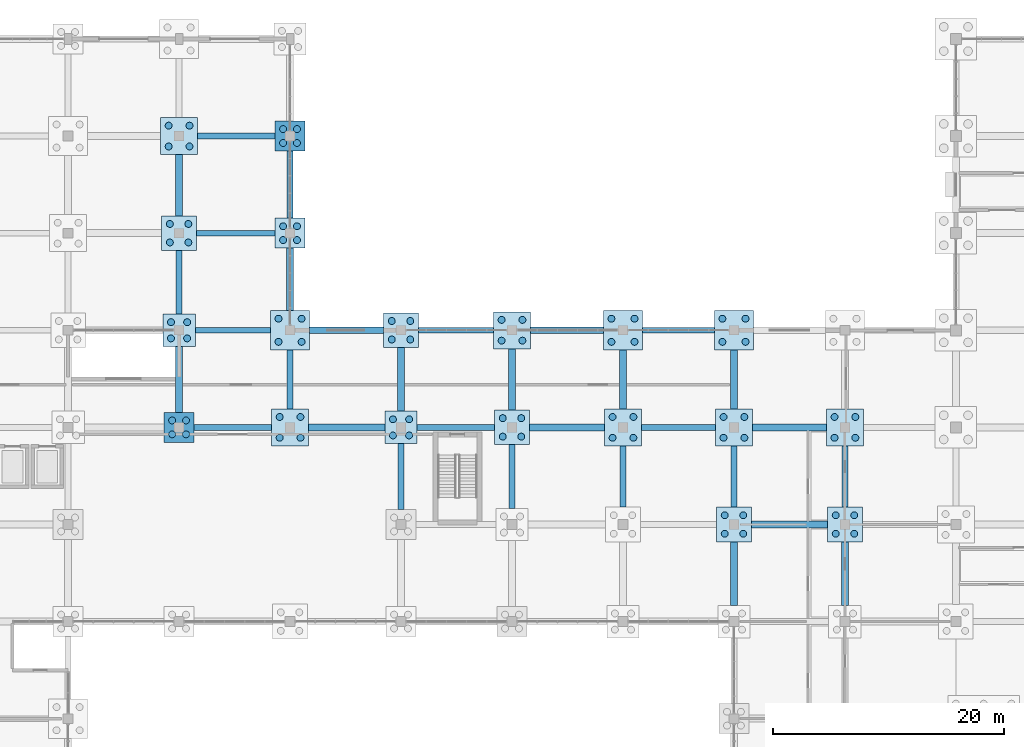
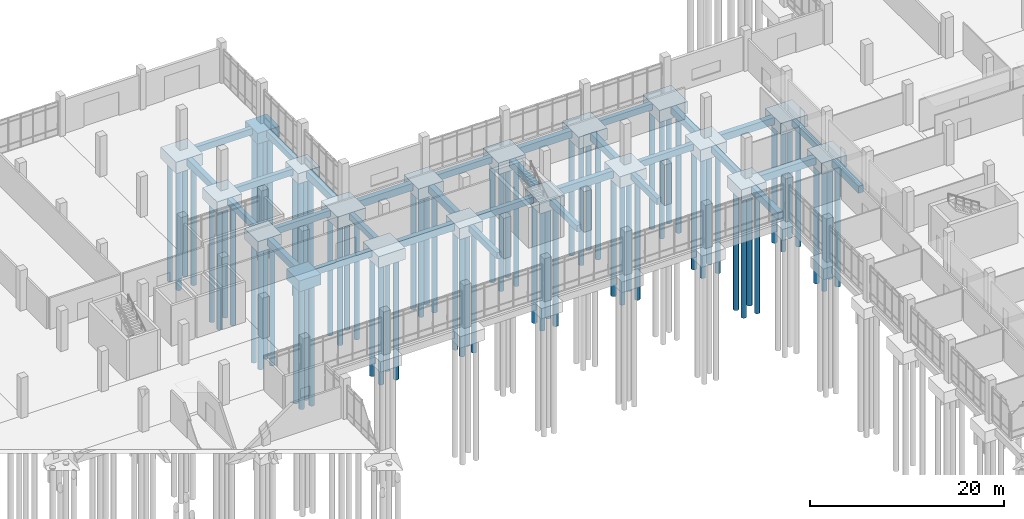
# One storey, part 10 of 136: 76 piles, 50 footings.
"""IFC4 building model written with IfcOpenShell, lengths in metres."""

from ifc_helpers import new_model, si_unit, direction, frame, origin, origin_2d, place, context, subcontext, project, spatial, rectangle, circle, extrude, material, material_profile, profile_set, type_object, element, save


model = new_model("IFC4")

# Units and contexts
model_context = context("Model", 3, precision=1e-05, world=origin(), true_north=direction((0.0, 1.0)))
body_context = subcontext(model_context, "Body", "Model", "MODEL_VIEW")
ifc_project = project(units=[si_unit("LENGTHUNIT", "METRE"), si_unit("AREAUNIT", "SQUARE_METRE"), si_unit("VOLUMEUNIT", "CUBIC_METRE"), si_unit("PLANEANGLEUNIT", "RADIAN"), si_unit("MASSUNIT", "GRAM", prefix="KILO")], contexts=[model_context])

# Site, building, storey
site_placement = place(None, origin())
site = spatial("IfcSite", under=ifc_project, at=site_placement, CompositionType="ELEMENT")
building_placement = place(site_placement, origin())
building = spatial("IfcBuilding", under=site, at=building_placement, Name="Oolite Switchyard Hospital", CompositionType="ELEMENT")
storey_placement = place(building_placement, origin())
storey = spatial("IfcBuildingStorey", under=building, at=storey_placement, Name="L00", CompositionType="ELEMENT", Elevation=0.0)

# Footings
ifc_material = material(Name="Concrete C40/50", Category="concrete")
footing_type_1 = type_object("IfcFootingType", Name="FTG-GB500X800", PredefinedType="FOOTING_BEAM", material=ifc_material)
for number, where, z_axis, x_axis, name in (
    (1, (71.85009765625, 100.800048828125, -1.14990234375), (0.0, 0.0, 1.0), (1.0, 0.0, 0.0), "L00 Grade Beam 182"),
    (2, (91.14990234375, 100.800048828125, -1.14990234375), (0.0, 0.0, 1.0), (1.0, 0.0, 0.0), "L00 Grade Beam 184"),
):
    element("IfcFooting", number, at=place(storey_placement, frame(where, z_axis=z_axis, x_axis=x_axis)), inside=storey, type_object=footing_type_1, Name=name, PredefinedType="FOOTING_BEAM", context=body_context, shape_type="SweptSolid", body=[
        extrude(rectangle(XDim=6.699951171875, YDim=0.5, at=origin_2d()), origin(), (0.0, 0.0, 1.0), 0.800048828125),
    ])
footing_1_placement = place(storey_placement, frame((110.39990234375, 100.800048828125, -1.14990234375), z_axis=(0.0, 0.0, 1.0), x_axis=(1.0, 0.0, 0.0)))
element("IfcFooting", 3, at=footing_1_placement, inside=storey, type_object=footing_type_1, Name="L00 Grade Beam 186", PredefinedType="FOOTING_BEAM", context=body_context, shape_type="SweptSolid", body=[
    extrude(rectangle(XDim=6.39990234375, YDim=0.5, at=origin_2d()), origin(), (0.0, 0.0, 1.0), 0.800048828125),
])
for number, where, z_axis, x_axis, name in (
    (4, (71.85009765625, 109.199951171875, -1.14990234375), (0.0, 0.0, 1.0), (1.0, 0.0, 0.0), "L00 Grade Beam 204"),
    (5, (91.14990234375, 109.199951171875, -1.14990234375), (0.0, 0.0, 1.0), (1.0, 0.0, 0.0), "L00 Grade Beam 206"),
):
    element("IfcFooting", number, at=place(storey_placement, frame(where, z_axis=z_axis, x_axis=x_axis)), inside=storey, type_object=footing_type_1, Name=name, PredefinedType="FOOTING_BEAM", context=body_context, shape_type="SweptSolid", body=[
        extrude(rectangle(XDim=6.5, YDim=0.5, at=origin_2d()), origin(), (0.0, 0.0, 1.0), 0.800048828125),
    ])
footing_2_placement = place(storey_placement, frame((110.39990234375, 109.199951171875, -1.14990234375), z_axis=(0.0, 0.0, 1.0), x_axis=(1.0, 0.0, 0.0)))
element("IfcFooting", 6, at=footing_2_placement, inside=storey, type_object=footing_type_1, Name="L00 Grade Beam 208", PredefinedType="FOOTING_BEAM", context=body_context, shape_type="SweptSolid", body=[
    extrude(rectangle(XDim=6.199951171875, YDim=0.5, at=origin_2d()), origin(), (0.0, 0.0, 1.0), 0.800048828125),
])
footing_3_placement = place(storey_placement, frame((72.10009765625, 117.60009765625, -1.14990234375), z_axis=(0.0, 0.0, 1.0), x_axis=(1.0, 0.0, 0.0)))
element("IfcFooting", 7, at=footing_3_placement, inside=storey, type_object=footing_type_1, Name="L00 Grade Beam 226", PredefinedType="FOOTING_BEAM", context=body_context, shape_type="SweptSolid", body=[
    extrude(rectangle(XDim=6.800048828125, YDim=0.5, at=origin_2d()), origin(), (0.0, 0.0, 1.0), 0.800048828125),
])
footing_4_placement = place(storey_placement, frame((72.14990234375, 126.0, -1.14990234375), z_axis=(0.0, 0.0, 1.0), x_axis=(1.0, 0.0, 0.0)))
element("IfcFooting", 8, at=footing_4_placement, inside=storey, type_object=footing_type_1, Name="L00 Grade Beam 242", PredefinedType="FOOTING_BEAM", context=body_context, shape_type="SweptSolid", body=[
    extrude(rectangle(XDim=6.699951171875, YDim=0.5, at=origin_2d()), origin(), (0.0, 0.0, 1.0), 0.800048828125),
])
footing_5_placement = place(storey_placement, frame((67.199951171875, 113.35009765625, -1.14990234375), z_axis=(0.0, 0.0, 1.0), x_axis=(0.0, 1.0, 0.0)))
element("IfcFooting", 9, at=footing_5_placement, inside=storey, type_object=footing_type_1, Name="L00 Grade Beam 381", PredefinedType="FOOTING_BEAM", context=body_context, shape_type="SweptSolid", body=[
    extrude(rectangle(XDim=5.5, YDim=0.5, at=origin_2d()), origin(), (0.0, 0.0, 1.0), 0.800048828125),
])
footing_6_placement = place(storey_placement, frame((76.800048828125, 104.949951171875, -1.14990234375), z_axis=(0.0, 0.0, 1.0), x_axis=(0.0, 1.0, 0.0)))
element("IfcFooting", 10, at=footing_6_placement, inside=storey, type_object=footing_type_1, Name="L00 Grade Beam 385", PredefinedType="FOOTING_BEAM", context=body_context, shape_type="SweptSolid", body=[
    extrude(rectangle(XDim=5.10009765625, YDim=0.5, at=origin_2d()), origin(), (0.0, 0.0, 1.0), 0.800048828125),
])
footing_7_placement = place(storey_placement, frame((76.800048828125, 121.800048828125, -1.14990234375), z_axis=(0.0, 0.0, 1.0), x_axis=(0.0, 1.0, 0.0)))
element("IfcFooting", 11, at=footing_7_placement, inside=storey, type_object=footing_type_1, Name="L00 Grade Beam 387", PredefinedType="FOOTING_BEAM", context=body_context, shape_type="SweptSolid", body=[
    extrude(rectangle(XDim=5.800048828125, YDim=0.5, at=origin_2d()), origin(), (0.0, 0.0, 1.0), 0.800048828125),
])
footing_8_placement = place(storey_placement, frame((86.39990234375, 96.550048828125, -1.14990234375), z_axis=(0.0, 0.0, 1.0), x_axis=(0.0, 1.0, 0.0)))
element("IfcFooting", 12, at=footing_8_placement, inside=storey, type_object=footing_type_1, Name="L00 Grade Beam 391", PredefinedType="FOOTING_BEAM", context=body_context, shape_type="SweptSolid", body=[
    extrude(rectangle(XDim=5.699951171875, YDim=0.5, at=origin_2d()), origin(), (0.0, 0.0, 1.0), 0.800048828125),
])
footing_9_placement = place(storey_placement, frame((96.0, 96.550048828125, -1.14990234375), z_axis=(0.0, 0.0, 1.0), x_axis=(0.0, 1.0, 0.0)))
element("IfcFooting", 13, at=footing_9_placement, inside=storey, type_object=footing_type_1, Name="L00 Grade Beam 395", PredefinedType="FOOTING_BEAM", context=body_context, shape_type="SweptSolid", body=[
    extrude(rectangle(XDim=5.5, YDim=0.5, at=origin_2d()), origin(), (0.0, 0.0, 1.0), 0.800048828125),
])
for number, where, z_axis, x_axis, name in (
    (14, (105.60009765625, 96.550048828125, -1.14990234375), (0.0, 0.0, 1.0), (0.0, 1.0, 0.0), "L00 Grade Beam 399"),
    (15, (115.199951171875, 96.550048828125, -1.14990234375), (0.0, 0.0, 1.0), (0.0, 1.0, 0.0), "L00 Grade Beam 409"),
    (16, (124.800048828125, 96.550048828125, -1.14990234375), (0.0, 0.0, 1.0), (0.0, 1.0, 0.0), "L00 Grade Beam 419"),
):
    element("IfcFooting", number, at=place(storey_placement, frame(where, z_axis=z_axis, x_axis=x_axis)), inside=storey, type_object=footing_type_1, Name=name, PredefinedType="FOOTING_BEAM", context=body_context, shape_type="SweptSolid", body=[
        extrude(rectangle(XDim=5.300048828125, YDim=0.5, at=origin_2d()), origin(), (0.0, 0.0, 1.0), 0.800048828125),
    ])
footing_type_2 = type_object("IfcFootingType", Name="FTG-GB600X900", PredefinedType="FOOTING_BEAM", material=ifc_material)
for number, where, z_axis, x_axis, name in (
    (17, (120.0, 92.39990234375, -1.25), (0.0, 0.0, 1.0), (1.0, 0.0, 0.0), "L00 Grade Beam 169"),
    (18, (81.699951171875, 100.800048828125, -1.25), (0.0, 0.0, 1.0), (1.0, 0.0, 0.0), "L00 Grade Beam 183"),
):
    element("IfcFooting", number, at=place(storey_placement, frame(where, z_axis=z_axis, x_axis=x_axis)), inside=storey, type_object=footing_type_2, Name=name, PredefinedType="FOOTING_BEAM", context=body_context, shape_type="SweptSolid", body=[
        extrude(rectangle(XDim=6.60009765625, YDim=0.60009765625, at=origin_2d()), origin(), (0.0, 0.0, 1.0), 0.89990234375),
    ])
footing_10_placement = place(storey_placement, frame((100.75, 100.800048828125, -1.25), z_axis=(0.0, 0.0, 1.0), x_axis=(1.0, 0.0, 0.0)))
element("IfcFooting", 19, at=footing_10_placement, inside=storey, type_object=footing_type_2, Name="L00 Grade Beam 185", PredefinedType="FOOTING_BEAM", context=body_context, shape_type="SweptSolid", body=[
    extrude(rectangle(XDim=6.5, YDim=0.60009765625, at=origin_2d()), origin(), (0.0, 0.0, 1.0), 0.89990234375),
])
for number, where, z_axis, x_axis, name in (
    (20, (120.0, 100.800048828125, -1.25), (0.0, 0.0, 1.0), (1.0, 0.0, 0.0), "L00 Grade Beam 187"),
    (21, (81.699951171875, 109.199951171875, -1.25), (0.0, 0.0, 1.0), (1.0, 0.0, 0.0), "L00 Grade Beam 205"),
):
    element("IfcFooting", number, at=place(storey_placement, frame(where, z_axis=z_axis, x_axis=x_axis)), inside=storey, type_object=footing_type_2, Name=name, PredefinedType="FOOTING_BEAM", context=body_context, shape_type="SweptSolid", body=[
        extrude(rectangle(XDim=6.39990234375, YDim=0.60009765625, at=origin_2d()), origin(), (0.0, 0.0, 1.0), 0.89990234375),
    ])
footing_11_placement = place(storey_placement, frame((100.75, 109.199951171875, -1.25), z_axis=(0.0, 0.0, 1.0), x_axis=(1.0, 0.0, 0.0)))
element("IfcFooting", 22, at=footing_11_placement, inside=storey, type_object=footing_type_2, Name="L00 Grade Beam 207", PredefinedType="FOOTING_BEAM", context=body_context, shape_type="SweptSolid", body=[
    extrude(rectangle(XDim=6.300048828125, YDim=0.60009765625, at=origin_2d()), origin(), (0.0, 0.0, 1.0), 0.89990234375),
])
footing_12_placement = place(storey_placement, frame((67.199951171875, 104.949951171875, -1.25), z_axis=(0.0, 0.0, 1.0), x_axis=(0.0, 1.0, 0.0)))
element("IfcFooting", 23, at=footing_12_placement, inside=storey, type_object=footing_type_2, Name="L00 Grade Beam 380", PredefinedType="FOOTING_BEAM", context=body_context, shape_type="SweptSolid", body=[
    extrude(rectangle(XDim=5.699951171875, YDim=0.60009765625, at=origin_2d()), origin(), (0.0, 0.0, 1.0), 0.89990234375),
])
footing_13_placement = place(storey_placement, frame((67.199951171875, 121.75, -1.25), z_axis=(0.0, 0.0, 1.0), x_axis=(0.0, 1.0, 0.0)))
element("IfcFooting", 24, at=footing_13_placement, inside=storey, type_object=footing_type_2, Name="L00 Grade Beam 382", PredefinedType="FOOTING_BEAM", context=body_context, shape_type="SweptSolid", body=[
    extrude(rectangle(XDim=5.300048828125, YDim=0.60009765625, at=origin_2d()), origin(), (0.0, 0.0, 1.0), 0.89990234375),
])
footing_14_placement = place(storey_placement, frame((76.800048828125, 113.60009765625, -1.25), z_axis=(0.0, 0.0, 1.0), x_axis=(0.0, 1.0, 0.0)))
element("IfcFooting", 25, at=footing_14_placement, inside=storey, type_object=footing_type_2, Name="L00 Grade Beam 386", PredefinedType="FOOTING_BEAM", context=body_context, shape_type="SweptSolid", body=[
    extrude(rectangle(XDim=5.39990234375, YDim=0.60009765625, at=origin_2d()), origin(), (0.0, 0.0, 1.0), 0.89990234375),
])
footing_15_placement = place(storey_placement, frame((86.39990234375, 104.949951171875, -1.25), z_axis=(0.0, 0.0, 1.0), x_axis=(0.0, 1.0, 0.0)))
element("IfcFooting", 26, at=footing_15_placement, inside=storey, type_object=footing_type_2, Name="L00 Grade Beam 392", PredefinedType="FOOTING_BEAM", context=body_context, shape_type="SweptSolid", body=[
    extrude(rectangle(XDim=5.5, YDim=0.60009765625, at=origin_2d()), origin(), (0.0, 0.0, 1.0), 0.89990234375),
])
footing_16_placement = place(storey_placement, frame((96.0, 104.949951171875, -1.25), z_axis=(0.0, 0.0, 1.0), x_axis=(0.0, 1.0, 0.0)))
element("IfcFooting", 27, at=footing_16_placement, inside=storey, type_object=footing_type_2, Name="L00 Grade Beam 396", PredefinedType="FOOTING_BEAM", context=body_context, shape_type="SweptSolid", body=[
    extrude(rectangle(XDim=5.300048828125, YDim=0.60009765625, at=origin_2d()), origin(), (0.0, 0.0, 1.0), 0.89990234375),
])
footing_17_placement = place(storey_placement, frame((105.60009765625, 104.949951171875, -1.25), z_axis=(0.0, 0.0, 1.0), x_axis=(0.0, 1.0, 0.0)))
element("IfcFooting", 28, at=footing_17_placement, inside=storey, type_object=footing_type_2, Name="L00 Grade Beam 400", PredefinedType="FOOTING_BEAM", context=body_context, shape_type="SweptSolid", body=[
    extrude(rectangle(XDim=5.10009765625, YDim=0.60009765625, at=origin_2d()), origin(), (0.0, 0.0, 1.0), 0.89990234375),
])
footing_18_placement = place(storey_placement, frame((115.199951171875, 88.14990234375, -1.25), z_axis=(0.0, 0.0, 1.0), x_axis=(0.0, 1.0, 0.0)))
element("IfcFooting", 29, at=footing_18_placement, inside=storey, type_object=footing_type_2, Name="L00 Grade Beam 408", PredefinedType="FOOTING_BEAM", context=body_context, shape_type="SweptSolid", body=[
    extrude(rectangle(XDim=5.5, YDim=0.60009765625, at=origin_2d()), origin(), (0.0, 0.0, 1.0), 0.89990234375),
])
footing_19_placement = place(storey_placement, frame((115.199951171875, 104.949951171875, -1.25), z_axis=(0.0, 0.0, 1.0), x_axis=(0.0, 1.0, 0.0)))
element("IfcFooting", 30, at=footing_19_placement, inside=storey, type_object=footing_type_2, Name="L00 Grade Beam 410", PredefinedType="FOOTING_BEAM", context=body_context, shape_type="SweptSolid", body=[
    extrude(rectangle(XDim=5.10009765625, YDim=0.60009765625, at=origin_2d()), origin(), (0.0, 0.0, 1.0), 0.89990234375),
])
footing_20_placement = place(storey_placement, frame((124.800048828125, 88.14990234375, -1.25), z_axis=(0.0, 0.0, 1.0), x_axis=(0.0, 1.0, 0.0)))
element("IfcFooting", 31, at=footing_20_placement, inside=storey, type_object=footing_type_2, Name="L00 Grade Beam 418", PredefinedType="FOOTING_BEAM", context=body_context, shape_type="SweptSolid", body=[
    extrude(rectangle(XDim=5.5, YDim=0.60009765625, at=origin_2d()), origin(), (0.0, 0.0, 1.0), 0.89990234375),
])
footing_type_3 = type_object("IfcFootingType", Name="FTG-PC24", PredefinedType="PILE_CAP", material=ifc_material)
footing_21_placement = place(storey_placement, frame((76.800048828125, 117.60009765625, -1.64990234375), z_axis=(0.0, 0.0, 1.0), x_axis=(1.0, 0.0, 0.0)))
element("IfcFooting", 32, at=footing_21_placement, inside=storey, type_object=footing_type_3, Name="L00 Multi-Pile Cap 139", PredefinedType="PILE_CAP", context=body_context, shape_type="SweptSolid", body=[
    extrude(rectangle(XDim=2.60009765625, YDim=2.60009765625, at=origin_2d()), origin(), (0.0, 0.0, 1.0), 1.300048828125),
])
footing_type_4 = type_object("IfcFootingType", Name="FTG-PC26", PredefinedType="PILE_CAP", material=ifc_material)
for number, where, z_axis, x_axis, name in (
    (33, (67.199951171875, 100.800048828125, -1.699951171875), (0.0, 0.0, 1.0), (1.0, 0.0, 0.0), "L00 Multi-Pile Cap 128"),
    (34, (76.800048828125, 126.0, -1.699951171875), (0.0, 0.0, 1.0), (1.0, 0.0, 0.0), "L00 Multi-Pile Cap 140"),
):
    element("IfcFooting", number, at=place(storey_placement, frame(where, z_axis=z_axis, x_axis=x_axis)), inside=storey, type_object=footing_type_4, Name=name, PredefinedType="PILE_CAP", context=body_context, shape_type="SweptSolid", body=[
        extrude(rectangle(XDim=2.60009765625, YDim=2.60009765625, at=origin_2d()), origin(), (0.0, 0.0, 1.0), 1.35009765625),
    ])
footing_type_5 = type_object("IfcFootingType", Name="FTG-PC28", PredefinedType="PILE_CAP", material=ifc_material)
for number, where, z_axis, x_axis, name in (
    (35, (67.199951171875, 109.199951171875, -1.75), (0.0, 0.0, 1.0), (1.0, 0.0, 0.0), "L00 Multi-Pile Cap 129"),
    (36, (86.39990234375, 100.800048828125, -1.75), (0.0, 0.0, 1.0), (1.0, 0.0, 0.0), "L00 Multi-Pile Cap 147"),
):
    element("IfcFooting", number, at=place(storey_placement, frame(where, z_axis=z_axis, x_axis=x_axis)), inside=storey, type_object=footing_type_5, Name=name, PredefinedType="PILE_CAP", context=body_context, shape_type="SweptSolid", body=[
        extrude(rectangle(XDim=2.800048828125, YDim=2.800048828125, at=origin_2d()), origin(), (0.0, 0.0, 1.0), 1.39990234375),
    ])
footing_type_6 = type_object("IfcFootingType", Name="FTG-PC30", PredefinedType="PILE_CAP", material=ifc_material)
for number, where, z_axis, x_axis, name in (
    (37, (67.199951171875, 117.60009765625, -1.77001953125), (0.0, 0.0, 1.0), (1.0, 0.0, 0.0), "L00 Multi-Pile Cap 130"),
    (38, (86.39990234375, 109.199951171875, -1.77001953125), (0.0, 0.0, 1.0), (1.0, 0.0, 0.0), "L00 Multi-Pile Cap 148"),
    (39, (96.0, 100.800048828125, -1.77001953125), (0.0, 0.0, 1.0), (1.0, 0.0, 0.0), "L00 Multi-Pile Cap 154"),
    (40, (115.199951171875, 92.39990234375, -1.77001953125), (0.0, 0.0, 1.0), (1.0, 0.0, 0.0), "L00 Multi-Pile Cap 172"),
    (41, (124.800048828125, 92.39990234375, -1.77001953125), (0.0, 0.0, 1.0), (1.0, 0.0, 0.0), "L00 Multi-Pile Cap 184"),
):
    element("IfcFooting", number, at=place(storey_placement, frame(where, z_axis=z_axis, x_axis=x_axis)), inside=storey, type_object=footing_type_6, Name=name, PredefinedType="PILE_CAP", context=body_context, shape_type="SweptSolid", body=[
        extrude(rectangle(XDim=3.0, YDim=3.0, at=origin_2d()), origin(), (0.0, 0.0, 1.0), 1.419921875),
    ])
footing_type_7 = type_object("IfcFootingType", Name="FTG-PC32", PredefinedType="PILE_CAP", material=ifc_material)
for number, where, z_axis, x_axis, name in (
    (42, (67.199951171875, 126.0, -1.7998046875), (0.0, 0.0, 1.0), (1.0, 0.0, 0.0), "L00 Multi-Pile Cap 131"),
    (43, (76.800048828125, 100.800048828125, -1.7998046875), (0.0, 0.0, 1.0), (1.0, 0.0, 0.0), "L00 Multi-Pile Cap 137"),
    (44, (96.0, 109.199951171875, -1.7998046875), (0.0, 0.0, 1.0), (1.0, 0.0, 0.0), "L00 Multi-Pile Cap 155"),
    (45, (105.60009765625, 100.800048828125, -1.7998046875), (0.0, 0.0, 1.0), (1.0, 0.0, 0.0), "L00 Multi-Pile Cap 161"),
    (46, (115.199951171875, 100.800048828125, -1.7998046875), (0.0, 0.0, 1.0), (1.0, 0.0, 0.0), "L00 Multi-Pile Cap 173"),
    (47, (124.800048828125, 100.800048828125, -1.7998046875), (0.0, 0.0, 1.0), (1.0, 0.0, 0.0), "L00 Multi-Pile Cap 185"),
):
    element("IfcFooting", number, at=place(storey_placement, frame(where, z_axis=z_axis, x_axis=x_axis)), inside=storey, type_object=footing_type_7, Name=name, PredefinedType="PILE_CAP", context=body_context, shape_type="SweptSolid", body=[
        extrude(rectangle(XDim=3.199951171875, YDim=3.199951171875, at=origin_2d()), origin(), (0.0, 0.0, 1.0), 1.449951171875),
    ])
footing_type_8 = type_object("IfcFootingType", Name="FTG-PC34", PredefinedType="PILE_CAP", material=ifc_material)
for number, where, z_axis, x_axis, name in (
    (48, (76.800048828125, 109.199951171875, -1.85009765625), (0.0, 0.0, 1.0), (1.0, 0.0, 0.0), "L00 Multi-Pile Cap 138"),
    (49, (105.60009765625, 109.199951171875, -1.85009765625), (0.0, 0.0, 1.0), (1.0, 0.0, 0.0), "L00 Multi-Pile Cap 162"),
    (50, (115.199951171875, 109.199951171875, -1.85009765625), (0.0, 0.0, 1.0), (1.0, 0.0, 0.0), "L00 Multi-Pile Cap 174"),
):
    element("IfcFooting", number, at=place(storey_placement, frame(where, z_axis=z_axis, x_axis=x_axis)), inside=storey, type_object=footing_type_8, Name=name, PredefinedType="PILE_CAP", context=body_context, shape_type="SweptSolid", body=[
        extrude(rectangle(XDim=3.39990234375, YDim=3.39990234375, at=origin_2d()), origin(), (0.0, 0.0, 1.0), 1.5),
    ])

# Piles
ifc_material_profile = material_profile(ifc_material, circle(Radius=0.300048828125, at=origin_2d()), Name="PILE600")
ifc_profile_set = profile_set([ifc_material_profile], Name="Concrete C40/50")
pile_type = type_object("IfcPileType", Name="PILE-ACIP600", PredefinedType="BORED", material=ifc_profile_set)
for number, where, z_axis, x_axis, name in (
    (51, (66.60009765625, 100.199951171875, -1.550048828125), (0.0, 0.0, -1.0), (1.0, 0.0, 0.0), "Augercast Pile 509"),
    (52, (67.800048828125, 100.199951171875, -1.550048828125), (0.0, 0.0, -1.0), (1.0, 0.0, 0.0), "Augercast Pile 510"),
    (53, (66.60009765625, 101.39990234375, -1.550048828125), (0.0, 0.0, -1.0), (1.0, 0.0, 0.0), "Augercast Pile 511"),
    (54, (67.800048828125, 101.39990234375, -1.550048828125), (0.0, 0.0, -1.0), (1.0, 0.0, 0.0), "Augercast Pile 512"),
):
    element("IfcPile", number, at=place(storey_placement, frame(where, z_axis=z_axis, x_axis=x_axis)), inside=storey, type_object=pile_type, Name=name, PredefinedType="BORED", context=body_context, shape_type="SweptSolid", body=[
        extrude(circle(Radius=0.300048828125, at=origin_2d()), origin(), (0.0, 0.0, 1.0), 15.449951171875),
    ])
for number, where, z_axis, x_axis, name in (
    (55, (66.5, 108.5, -1.60009765625), (0.0, 0.0, -1.0), (1.0, 0.0, 0.0), "Augercast Pile 513"),
    (56, (67.89990234375, 108.5, -1.60009765625), (0.0, 0.0, -1.0), (1.0, 0.0, 0.0), "Augercast Pile 514"),
    (57, (66.5, 109.89990234375, -1.60009765625), (0.0, 0.0, -1.0), (1.0, 0.0, 0.0), "Augercast Pile 515"),
    (58, (67.89990234375, 109.89990234375, -1.60009765625), (0.0, 0.0, -1.0), (1.0, 0.0, 0.0), "Augercast Pile 516"),
):
    element("IfcPile", number, at=place(storey_placement, frame(where, z_axis=z_axis, x_axis=x_axis)), inside=storey, type_object=pile_type, Name=name, PredefinedType="BORED", context=body_context, shape_type="SweptSolid", body=[
        extrude(circle(Radius=0.300048828125, at=origin_2d()), origin(), (0.0, 0.0, 1.0), 15.39990234375),
    ])
for number, where, z_axis, x_axis, name in (
    (59, (66.39990234375, 116.800048828125, -1.6201171875), (0.0, 0.0, -1.0), (1.0, 0.0, 0.0), "Augercast Pile 517"),
    (60, (68.0, 116.800048828125, -1.6201171875), (0.0, 0.0, -1.0), (1.0, 0.0, 0.0), "Augercast Pile 518"),
    (61, (66.39990234375, 118.39990234375, -1.6201171875), (0.0, 0.0, -1.0), (1.0, 0.0, 0.0), "Augercast Pile 519"),
    (62, (68.0, 118.39990234375, -1.6201171875), (0.0, 0.0, -1.0), (1.0, 0.0, 0.0), "Augercast Pile 520"),
):
    element("IfcPile", number, at=place(storey_placement, frame(where, z_axis=z_axis, x_axis=x_axis)), inside=storey, type_object=pile_type, Name=name, PredefinedType="BORED", context=body_context, shape_type="SweptSolid", body=[
        extrude(circle(Radius=0.300048828125, at=origin_2d()), origin(), (0.0, 0.0, 1.0), 15.3798828125),
    ])
for number, where, z_axis, x_axis, name in (
    (63, (66.300048828125, 125.10009765625, -1.64990234375), (0.0, 0.0, -1.0), (1.0, 0.0, 0.0), "Augercast Pile 521"),
    (64, (68.10009765625, 125.10009765625, -1.64990234375), (0.0, 0.0, -1.0), (1.0, 0.0, 0.0), "Augercast Pile 522"),
    (65, (66.300048828125, 126.89990234375, -1.64990234375), (0.0, 0.0, -1.0), (1.0, 0.0, 0.0), "Augercast Pile 523"),
    (66, (68.10009765625, 126.89990234375, -1.64990234375), (0.0, 0.0, -1.0), (1.0, 0.0, 0.0), "Augercast Pile 524"),
    (67, (75.89990234375, 99.89990234375, -1.64990234375), (0.0, 0.0, -1.0), (1.0, 0.0, 0.0), "Augercast Pile 545"),
    (68, (77.699951171875, 99.89990234375, -1.64990234375), (0.0, 0.0, -1.0), (1.0, 0.0, 0.0), "Augercast Pile 546"),
    (69, (75.89990234375, 101.699951171875, -1.64990234375), (0.0, 0.0, -1.0), (1.0, 0.0, 0.0), "Augercast Pile 547"),
    (70, (77.699951171875, 101.699951171875, -1.64990234375), (0.0, 0.0, -1.0), (1.0, 0.0, 0.0), "Augercast Pile 548"),
):
    element("IfcPile", number, at=place(storey_placement, frame(where, z_axis=z_axis, x_axis=x_axis)), inside=storey, type_object=pile_type, Name=name, PredefinedType="BORED", context=body_context, shape_type="SweptSolid", body=[
        extrude(circle(Radius=0.300048828125, at=origin_2d()), origin(), (0.0, 0.0, 1.0), 15.35009765625),
    ])
for number, where, z_axis, x_axis, name in (
    (71, (75.800048828125, 108.199951171875, -1.699951171875), (0.0, 0.0, -1.0), (1.0, 0.0, 0.0), "Augercast Pile 549"),
    (72, (77.800048828125, 108.199951171875, -1.699951171875), (0.0, 0.0, -1.0), (1.0, 0.0, 0.0), "Augercast Pile 550"),
    (73, (75.800048828125, 110.199951171875, -1.699951171875), (0.0, 0.0, -1.0), (1.0, 0.0, 0.0), "Augercast Pile 551"),
    (74, (77.800048828125, 110.199951171875, -1.699951171875), (0.0, 0.0, -1.0), (1.0, 0.0, 0.0), "Augercast Pile 552"),
):
    element("IfcPile", number, at=place(storey_placement, frame(where, z_axis=z_axis, x_axis=x_axis)), inside=storey, type_object=pile_type, Name=name, PredefinedType="BORED", context=body_context, shape_type="SweptSolid", body=[
        extrude(circle(Radius=0.300048828125, at=origin_2d()), origin(), (0.0, 0.0, 1.0), 15.300048828125),
    ])
for number, where, z_axis, x_axis, name in (
    (75, (76.199951171875, 117.0, -1.5), (0.0, 0.0, -1.0), (1.0, 0.0, 0.0), "Augercast Pile 553"),
    (76, (77.39990234375, 117.0, -1.5), (0.0, 0.0, -1.0), (1.0, 0.0, 0.0), "Augercast Pile 554"),
    (77, (76.199951171875, 118.199951171875, -1.5), (0.0, 0.0, -1.0), (1.0, 0.0, 0.0), "Augercast Pile 555"),
    (78, (77.39990234375, 118.199951171875, -1.5), (0.0, 0.0, -1.0), (1.0, 0.0, 0.0), "Augercast Pile 556"),
):
    element("IfcPile", number, at=place(storey_placement, frame(where, z_axis=z_axis, x_axis=x_axis)), inside=storey, type_object=pile_type, Name=name, PredefinedType="BORED", context=body_context, shape_type="SweptSolid", body=[
        extrude(circle(Radius=0.300048828125, at=origin_2d()), origin(), (0.0, 0.0, 1.0), 15.5),
    ])
for number, where, z_axis, x_axis, name in (
    (79, (76.199951171875, 125.39990234375, -1.550048828125), (0.0, 0.0, -1.0), (1.0, 0.0, 0.0), "Augercast Pile 557"),
    (80, (77.39990234375, 125.39990234375, -1.550048828125), (0.0, 0.0, -1.0), (1.0, 0.0, 0.0), "Augercast Pile 558"),
    (81, (76.199951171875, 126.60009765625, -1.550048828125), (0.0, 0.0, -1.0), (1.0, 0.0, 0.0), "Augercast Pile 559"),
    (82, (77.39990234375, 126.60009765625, -1.550048828125), (0.0, 0.0, -1.0), (1.0, 0.0, 0.0), "Augercast Pile 560"),
):
    element("IfcPile", number, at=place(storey_placement, frame(where, z_axis=z_axis, x_axis=x_axis)), inside=storey, type_object=pile_type, Name=name, PredefinedType="BORED", context=body_context, shape_type="SweptSolid", body=[
        extrude(circle(Radius=0.300048828125, at=origin_2d()), origin(), (0.0, 0.0, 1.0), 15.449951171875),
    ])
for number, where, z_axis, x_axis, name in (
    (83, (85.699951171875, 100.10009765625, -1.60009765625), (0.0, 0.0, -1.0), (1.0, 0.0, 0.0), "Augercast Pile 585"),
    (84, (87.10009765625, 100.10009765625, -1.60009765625), (0.0, 0.0, -1.0), (1.0, 0.0, 0.0), "Augercast Pile 586"),
    (85, (85.699951171875, 101.5, -1.60009765625), (0.0, 0.0, -1.0), (1.0, 0.0, 0.0), "Augercast Pile 587"),
    (86, (87.10009765625, 101.5, -1.60009765625), (0.0, 0.0, -1.0), (1.0, 0.0, 0.0), "Augercast Pile 588"),
):
    element("IfcPile", number, at=place(storey_placement, frame(where, z_axis=z_axis, x_axis=x_axis)), inside=storey, type_object=pile_type, Name=name, PredefinedType="BORED", context=body_context, shape_type="SweptSolid", body=[
        extrude(circle(Radius=0.300048828125, at=origin_2d()), origin(), (0.0, 0.0, 1.0), 15.39990234375),
    ])
for number, where, z_axis, x_axis, name in (
    (87, (85.60009765625, 108.39990234375, -1.6201171875), (0.0, 0.0, -1.0), (1.0, 0.0, 0.0), "Augercast Pile 589"),
    (88, (87.199951171875, 108.39990234375, -1.6201171875), (0.0, 0.0, -1.0), (1.0, 0.0, 0.0), "Augercast Pile 590"),
    (89, (85.60009765625, 110.0, -1.6201171875), (0.0, 0.0, -1.0), (1.0, 0.0, 0.0), "Augercast Pile 591"),
    (90, (87.199951171875, 110.0, -1.6201171875), (0.0, 0.0, -1.0), (1.0, 0.0, 0.0), "Augercast Pile 592"),
    (91, (95.199951171875, 100.0, -1.6201171875), (0.0, 0.0, -1.0), (1.0, 0.0, 0.0), "Augercast Pile 613"),
    (92, (96.800048828125, 100.0, -1.6201171875), (0.0, 0.0, -1.0), (1.0, 0.0, 0.0), "Augercast Pile 614"),
    (93, (95.199951171875, 101.60009765625, -1.6201171875), (0.0, 0.0, -1.0), (1.0, 0.0, 0.0), "Augercast Pile 615"),
    (94, (96.800048828125, 101.60009765625, -1.6201171875), (0.0, 0.0, -1.0), (1.0, 0.0, 0.0), "Augercast Pile 616"),
):
    element("IfcPile", number, at=place(storey_placement, frame(where, z_axis=z_axis, x_axis=x_axis)), inside=storey, type_object=pile_type, Name=name, PredefinedType="BORED", context=body_context, shape_type="SweptSolid", body=[
        extrude(circle(Radius=0.300048828125, at=origin_2d()), origin(), (0.0, 0.0, 1.0), 15.3798828125),
    ])
for number, where, z_axis, x_axis, name in (
    (95, (95.10009765625, 108.300048828125, -1.64990234375), (0.0, 0.0, -1.0), (1.0, 0.0, 0.0), "Augercast Pile 617"),
    (96, (96.89990234375, 108.300048828125, -1.64990234375), (0.0, 0.0, -1.0), (1.0, 0.0, 0.0), "Augercast Pile 618"),
    (97, (95.10009765625, 110.10009765625, -1.64990234375), (0.0, 0.0, -1.0), (1.0, 0.0, 0.0), "Augercast Pile 619"),
    (98, (96.89990234375, 110.10009765625, -1.64990234375), (0.0, 0.0, -1.0), (1.0, 0.0, 0.0), "Augercast Pile 620"),
    (99, (104.699951171875, 99.89990234375, -1.64990234375), (0.0, 0.0, -1.0), (1.0, 0.0, 0.0), "Augercast Pile 641"),
    (100, (106.5, 99.89990234375, -1.64990234375), (0.0, 0.0, -1.0), (1.0, 0.0, 0.0), "Augercast Pile 642"),
    (101, (104.699951171875, 101.699951171875, -1.64990234375), (0.0, 0.0, -1.0), (1.0, 0.0, 0.0), "Augercast Pile 643"),
    (102, (106.5, 101.699951171875, -1.64990234375), (0.0, 0.0, -1.0), (1.0, 0.0, 0.0), "Augercast Pile 644"),
):
    element("IfcPile", number, at=place(storey_placement, frame(where, z_axis=z_axis, x_axis=x_axis)), inside=storey, type_object=pile_type, Name=name, PredefinedType="BORED", context=body_context, shape_type="SweptSolid", body=[
        extrude(circle(Radius=0.300048828125, at=origin_2d()), origin(), (0.0, 0.0, 1.0), 15.35009765625),
    ])
for number, where, z_axis, x_axis, name in (
    (103, (104.60009765625, 108.199951171875, -1.699951171875), (0.0, 0.0, -1.0), (1.0, 0.0, 0.0), "Augercast Pile 645"),
    (104, (106.60009765625, 108.199951171875, -1.699951171875), (0.0, 0.0, -1.0), (1.0, 0.0, 0.0), "Augercast Pile 646"),
    (105, (104.60009765625, 110.199951171875, -1.699951171875), (0.0, 0.0, -1.0), (1.0, 0.0, 0.0), "Augercast Pile 647"),
    (106, (106.60009765625, 110.199951171875, -1.699951171875), (0.0, 0.0, -1.0), (1.0, 0.0, 0.0), "Augercast Pile 648"),
):
    element("IfcPile", number, at=place(storey_placement, frame(where, z_axis=z_axis, x_axis=x_axis)), inside=storey, type_object=pile_type, Name=name, PredefinedType="BORED", context=body_context, shape_type="SweptSolid", body=[
        extrude(circle(Radius=0.300048828125, at=origin_2d()), origin(), (0.0, 0.0, 1.0), 15.300048828125),
    ])
for number, where, z_axis, x_axis, name in (
    (107, (114.39990234375, 91.60009765625, -1.6201171875), (0.0, 0.0, -1.0), (1.0, 0.0, 0.0), "Augercast Pile 685"),
    (108, (116.0, 91.60009765625, -1.6201171875), (0.0, 0.0, -1.0), (1.0, 0.0, 0.0), "Augercast Pile 686"),
    (109, (114.39990234375, 93.199951171875, -1.6201171875), (0.0, 0.0, -1.0), (1.0, 0.0, 0.0), "Augercast Pile 687"),
    (110, (116.0, 93.199951171875, -1.6201171875), (0.0, 0.0, -1.0), (1.0, 0.0, 0.0), "Augercast Pile 688"),
):
    element("IfcPile", number, at=place(storey_placement, frame(where, z_axis=z_axis, x_axis=x_axis)), inside=storey, type_object=pile_type, Name=name, PredefinedType="BORED", context=body_context, shape_type="SweptSolid", body=[
        extrude(circle(Radius=0.300048828125, at=origin_2d()), origin(), (0.0, 0.0, 1.0), 15.3798828125),
    ])
for number, where, z_axis, x_axis, name in (
    (111, (114.300048828125, 99.89990234375, -1.64990234375), (0.0, 0.0, -1.0), (1.0, 0.0, 0.0), "Augercast Pile 689"),
    (112, (116.10009765625, 99.89990234375, -1.64990234375), (0.0, 0.0, -1.0), (1.0, 0.0, 0.0), "Augercast Pile 690"),
    (113, (114.300048828125, 101.699951171875, -1.64990234375), (0.0, 0.0, -1.0), (1.0, 0.0, 0.0), "Augercast Pile 691"),
    (114, (116.10009765625, 101.699951171875, -1.64990234375), (0.0, 0.0, -1.0), (1.0, 0.0, 0.0), "Augercast Pile 692"),
):
    element("IfcPile", number, at=place(storey_placement, frame(where, z_axis=z_axis, x_axis=x_axis)), inside=storey, type_object=pile_type, Name=name, PredefinedType="BORED", context=body_context, shape_type="SweptSolid", body=[
        extrude(circle(Radius=0.300048828125, at=origin_2d()), origin(), (0.0, 0.0, 1.0), 15.35009765625),
    ])
for number, where, z_axis, x_axis, name in (
    (115, (114.199951171875, 108.199951171875, -1.699951171875), (0.0, 0.0, -1.0), (1.0, 0.0, 0.0), "Augercast Pile 693"),
    (116, (116.199951171875, 108.199951171875, -1.699951171875), (0.0, 0.0, -1.0), (1.0, 0.0, 0.0), "Augercast Pile 694"),
    (117, (114.199951171875, 110.199951171875, -1.699951171875), (0.0, 0.0, -1.0), (1.0, 0.0, 0.0), "Augercast Pile 695"),
    (118, (116.199951171875, 110.199951171875, -1.699951171875), (0.0, 0.0, -1.0), (1.0, 0.0, 0.0), "Augercast Pile 696"),
):
    element("IfcPile", number, at=place(storey_placement, frame(where, z_axis=z_axis, x_axis=x_axis)), inside=storey, type_object=pile_type, Name=name, PredefinedType="BORED", context=body_context, shape_type="SweptSolid", body=[
        extrude(circle(Radius=0.300048828125, at=origin_2d()), origin(), (0.0, 0.0, 1.0), 15.300048828125),
    ])
for number, where, z_axis, x_axis, name in (
    (119, (124.0, 91.60009765625, -1.6201171875), (0.0, 0.0, -1.0), (1.0, 0.0, 0.0), "Augercast Pile 733"),
    (120, (125.60009765625, 91.60009765625, -1.6201171875), (0.0, 0.0, -1.0), (1.0, 0.0, 0.0), "Augercast Pile 734"),
    (121, (124.0, 93.199951171875, -1.6201171875), (0.0, 0.0, -1.0), (1.0, 0.0, 0.0), "Augercast Pile 735"),
    (122, (125.60009765625, 93.199951171875, -1.6201171875), (0.0, 0.0, -1.0), (1.0, 0.0, 0.0), "Augercast Pile 736"),
):
    element("IfcPile", number, at=place(storey_placement, frame(where, z_axis=z_axis, x_axis=x_axis)), inside=storey, type_object=pile_type, Name=name, PredefinedType="BORED", context=body_context, shape_type="SweptSolid", body=[
        extrude(circle(Radius=0.300048828125, at=origin_2d()), origin(), (0.0, 0.0, 1.0), 15.3798828125),
    ])
for number, where, z_axis, x_axis, name in (
    (123, (123.89990234375, 99.89990234375, -1.64990234375), (0.0, 0.0, -1.0), (1.0, 0.0, 0.0), "Augercast Pile 737"),
    (124, (125.699951171875, 99.89990234375, -1.64990234375), (0.0, 0.0, -1.0), (1.0, 0.0, 0.0), "Augercast Pile 738"),
    (125, (123.89990234375, 101.699951171875, -1.64990234375), (0.0, 0.0, -1.0), (1.0, 0.0, 0.0), "Augercast Pile 739"),
    (126, (125.699951171875, 101.699951171875, -1.64990234375), (0.0, 0.0, -1.0), (1.0, 0.0, 0.0), "Augercast Pile 740"),
):
    element("IfcPile", number, at=place(storey_placement, frame(where, z_axis=z_axis, x_axis=x_axis)), inside=storey, type_object=pile_type, Name=name, PredefinedType="BORED", context=body_context, shape_type="SweptSolid", body=[
        extrude(circle(Radius=0.300048828125, at=origin_2d()), origin(), (0.0, 0.0, 1.0), 15.35009765625),
    ])

save(model, "model.ifc")
